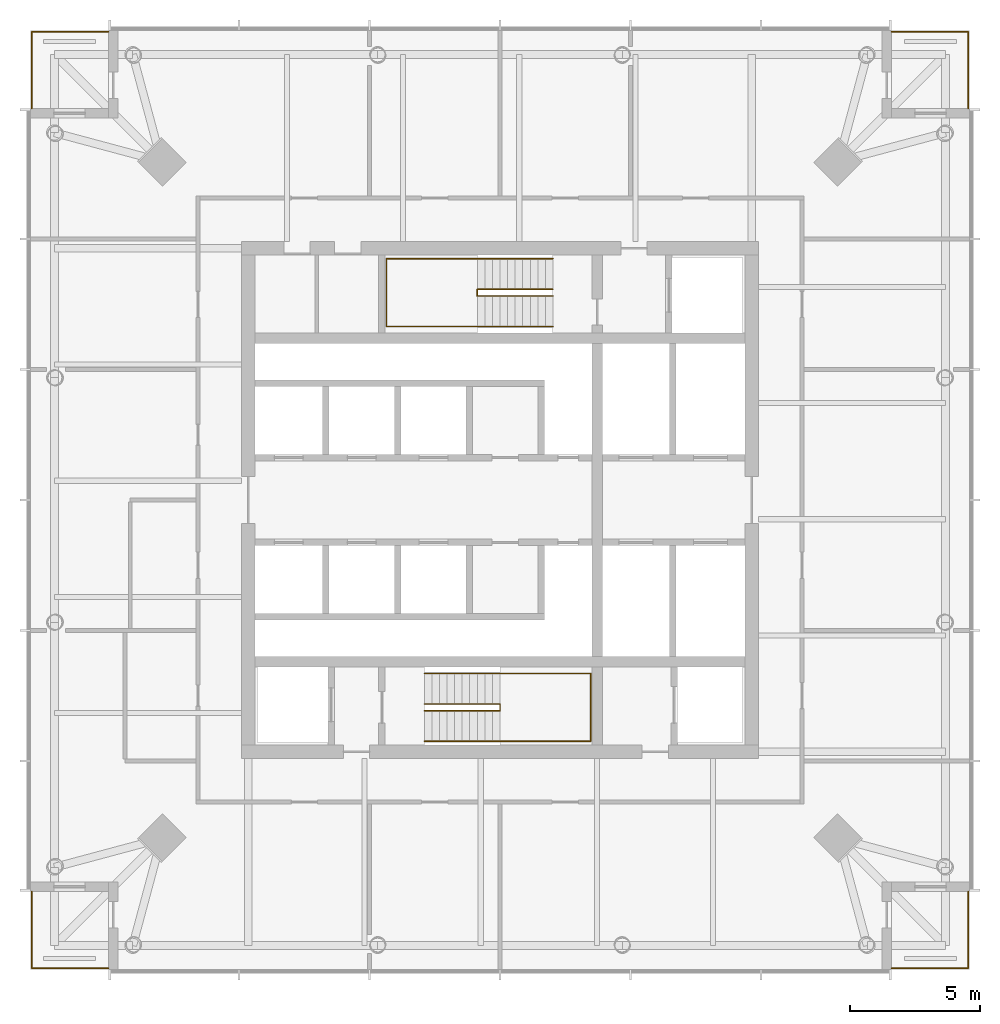
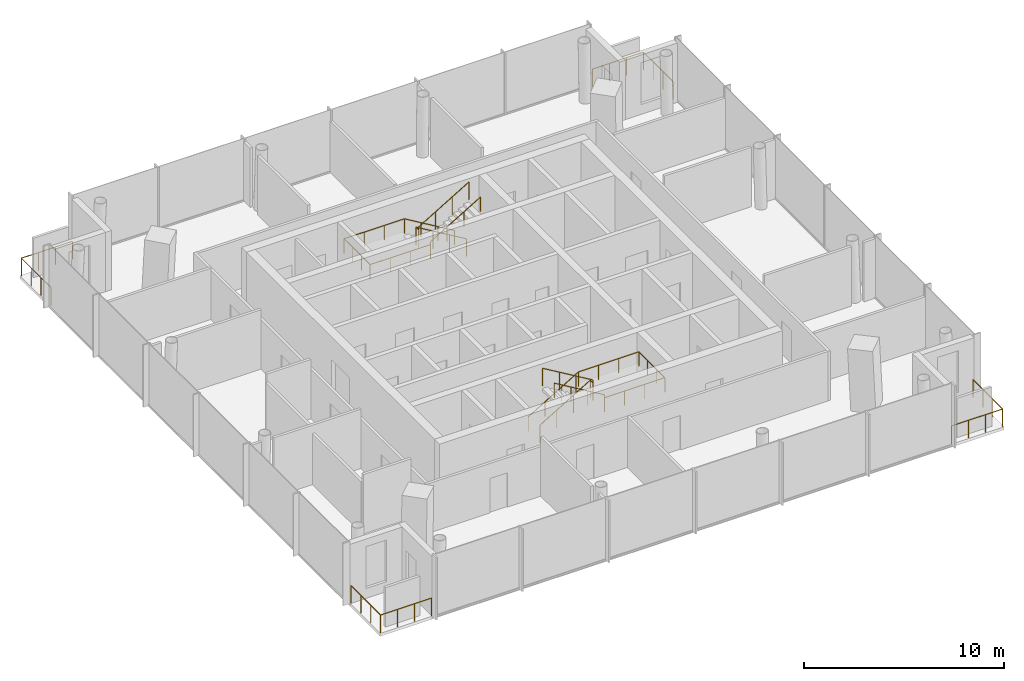
# One storey, part 7 of 7: 8 railings.
"""IFC4 building model written with IfcOpenShell, lengths in metres."""

import ifcopenshell
import ifcopenshell.guid

model = None  # the IFC model being written
_history = None  # IfcOwnerHistory: only IFC2X3 demands one
_inside = {}  # id of a spatial element -> (the spatial element, [elements in it])
_under = {}  # id of a project, library or spatial element -> (it, [spatial elements below it])
_declared = {}  # id of a project -> (the project, [libraries it declares])
_typed = {}  # id of a type object -> (the type object, [elements of that type])
_made_of = {}  # id of a material, layer set ... -> (it, [elements and type objects made of it])


def new_model(schema):
    """Start an empty IFC model of exactly this schema.

    Asked for "IFC4X3", IfcOpenShell would pick the latest addendum, in which some entities
    have other attributes; the version numbers below select the first issue.
    IFC2X3 requires an IfcOwnerHistory on every rooted entity: one is made here for all.
    """
    global model, _history
    if schema == "IFC4X3":
        model = ifcopenshell.file(schema_version=(4, 3, 0, 0))
    else:
        model = ifcopenshell.file(schema=schema)
    _inside.clear()
    _under.clear()
    _declared.clear()
    _typed.clear()
    _made_of.clear()
    _history = None
    if model.schema == "IFC2X3":
        org = make("IfcOrganization", Name="unknown")
        user = make(
            "IfcPersonAndOrganization",
            ThePerson=make("IfcPerson", FamilyName="unknown"),
            TheOrganization=org,
        )
        app = make(
            "IfcApplication",
            ApplicationDeveloper=org,
            Version="unknown",
            ApplicationFullName="unknown",
            ApplicationIdentifier="unknown",
        )
        _history = make(
            "IfcOwnerHistory",
            OwningUser=user,
            OwningApplication=app,
            ChangeAction="ADDED",
            CreationDate=0,
        )
    return model


def make(cls, **values):
    """One entity of the class cls with the attributes given. An attribute that is None is left unset."""
    return model.create_entity(
        cls, **{name: value for name, value in values.items() if value is not None}
    )


def rooted(cls, **values):
    """An entity with a GlobalId (a new one), such as an element, a storey or a relation."""
    return make(cls, GlobalId=ifcopenshell.guid.new(), OwnerHistory=_history, **values)


def si_unit(unit_type, name, prefix=None):
    """IfcSIUnit, for example si_unit("LENGTHUNIT", "METRE", prefix="MILLI")."""
    return make("IfcSIUnit", UnitType=unit_type, Prefix=prefix, Name=name)


def assignment(units):
    """IfcUnitAssignment: the units of a project."""
    return None if units is None else make("IfcUnitAssignment", Units=units)


def point(xyz):
    """IfcCartesianPoint."""
    return None if xyz is None else make("IfcCartesianPoint", Coordinates=xyz)


def direction(xyz):
    """IfcDirection."""
    return None if xyz is None else make("IfcDirection", DirectionRatios=xyz)


def frame(location, z_axis=None, x_axis=None):
    """IfcAxis2Placement3D, a coordinate frame: its origin and axes. An axis left out is left unset."""
    return make(
        "IfcAxis2Placement3D",
        Location=point(location),
        Axis=direction(z_axis),
        RefDirection=direction(x_axis),
    )


def frame_2d(location, x_axis=None):
    """IfcAxis2Placement2D, a coordinate frame in the plane: its origin and x axis."""
    return make(
        "IfcAxis2Placement2D", Location=point(location), RefDirection=direction(x_axis)
    )


def origin():
    """The frame at (0, 0, 0) with its axes left unset."""
    return frame((0.0, 0.0, 0.0))


def origin_2d():
    """The frame at (0, 0) in the plane with its x axis left unset."""
    return frame_2d((0.0, 0.0))


def place(relative_to, where):
    """IfcLocalPlacement: puts the frame where relative to a parent placement (None: the world)."""
    return make(
        "IfcLocalPlacement", PlacementRelTo=relative_to, RelativePlacement=where
    )


def context(
    kind, dimensions, precision=None, world=None, true_north=None, identifier=None
):
    """IfcGeometricRepresentationContext, for example the 3D "Model" context."""
    return make(
        "IfcGeometricRepresentationContext",
        ContextIdentifier=identifier,
        ContextType=kind,
        CoordinateSpaceDimension=dimensions,
        Precision=precision,
        WorldCoordinateSystem=world,
        TrueNorth=true_north,
    )


def subcontext(parent, identifier, kind, view, scale=None):
    """IfcGeometricRepresentationSubContext, for example "Body" below "Model"."""
    return make(
        "IfcGeometricRepresentationSubContext",
        ContextIdentifier=identifier,
        ContextType=kind,
        ParentContext=parent,
        TargetScale=scale,
        TargetView=view,
    )


def project(units=None, contexts=None):
    """IfcProject with its units and contexts."""
    return rooted(
        "IfcProject",
        Name="project",
        RepresentationContexts=contexts,
        UnitsInContext=assignment(units),
    )


def spatial(cls, under=None, at=None, **own):
    """A site, building, storey or space (cls), placed at a placement, below another one or the project."""
    s = rooted(cls, ObjectPlacement=at, **own)
    if under is not None:
        _under.setdefault(under.id(), (under, []))[1].append(s)
    return s


def profile(cls, at=None, kind="AREA", **sizes):
    """A parametric profile (cls). Its sizes go by their IFC names, for example OverallWidth=200.0."""
    return make(cls, ProfileType=kind, Position=at, **sizes)


def circle(**sizes):
    """IfcCircleProfileDef."""
    return profile("IfcCircleProfileDef", **sizes)


def extrude(swept, where, along, depth):
    """IfcExtrudedAreaSolid: the profile swept, set in the frame where, extruded along a direction by depth."""
    return make(
        "IfcExtrudedAreaSolid",
        SweptArea=swept,
        Position=where,
        ExtrudedDirection=direction(along),
        Depth=depth,
    )


def shape(context_of_items, identifier, shape_type, items):
    """IfcShapeRepresentation: the items that make up one representation, for example the "Body"."""
    return make(
        "IfcShapeRepresentation",
        ContextOfItems=context_of_items,
        RepresentationIdentifier=identifier,
        RepresentationType=shape_type,
        Items=items,
    )


def material(Name=None, Category=None):
    """IfcMaterial."""
    return make("IfcMaterial", Name=Name, Category=Category)


def made_of(thing, what):
    """Note that an element or type object is made of a material, layer set ...; save() writes the relation."""
    if what is not None:
        _made_of.setdefault(what.id(), (what, []))[1].append(thing)
    return thing


def type_object(cls, material=None, **own):
    """A type object (cls), such as IfcWallType, which elements share."""
    return made_of(rooted(cls, **own), material)


def element(
    cls,
    number,
    at=None,
    inside=None,
    cuts=None,
    type_object=None,
    material=None,
    context=None,
    identifier="Body",
    shape_type=None,
    held_by="IfcProductDefinitionShape",
    body=None,
    shapes=None,
    **own,
):
    """One element of the class cls, such as IfcWall. Its Tag is "e" and its number.

    at: its placement. inside: the storey or other place that contains it. cuts: it is an
    opening in that element (IfcRelVoidsElement). A single representation is given by context,
    identifier, shape_type and body (its items); several are given by shapes. held_by: the class
    of the entity that holds the representations. save() writes the other relations.
    """
    e = rooted(cls, Tag="e%d" % number, ObjectPlacement=at, **own)
    if body is not None:
        shapes = [shape(context, identifier, shape_type, body)]
    if shapes is not None:
        e.Representation = make(held_by, Representations=shapes)
    if inside is not None:
        _inside.setdefault(inside.id(), (inside, []))[1].append(e)
    if cuts is not None:
        rooted(
            "IfcRelVoidsElement", RelatingBuildingElement=cuts, RelatedOpeningElement=e
        )
    if type_object is not None:
        _typed.setdefault(type_object.id(), (type_object, []))[1].append(e)
    return made_of(e, material)


def aggregate(whole, parts):
    """IfcRelAggregates: a whole, such as a stair, and the parts it consists of."""
    return rooted("IfcRelAggregates", RelatingObject=whole, RelatedObjects=parts)


def save(model, path):
    """Write the relations noted so far, then the file.

    IfcRelAggregates (storeys below a building ...), IfcRelContainedInSpatialStructure (elements
    in a storey), IfcRelDefinesByType, IfcRelAssociatesMaterial and IfcRelDeclares: one each for
    every whole, place, type object, material and project.
    """
    for whole, parts in _under.values():
        aggregate(whole, parts)
    for where, things in _inside.values():
        rooted(
            "IfcRelContainedInSpatialStructure",
            RelatedElements=things,
            RelatingStructure=where,
        )
    for kind, things in _typed.values():
        rooted("IfcRelDefinesByType", RelatedObjects=things, RelatingType=kind)
    for what, things in _made_of.values():
        rooted("IfcRelAssociatesMaterial", RelatedObjects=things, RelatingMaterial=what)
    for by, libraries in _declared.values():
        rooted("IfcRelDeclares", RelatingContext=by, RelatedDefinitions=libraries)
    model.write(path)


model = new_model("IFC4")

# Units and contexts
model_context = context("Model", 3, precision=1e-05, world=origin(), true_north=direction((0.0, 1.0)))
body_context = subcontext(model_context, "Body", "Model", "MODEL_VIEW")
ifc_project = project(units=[si_unit("LENGTHUNIT", "METRE"), si_unit("AREAUNIT", "SQUARE_METRE"), si_unit("VOLUMEUNIT", "CUBIC_METRE"), si_unit("PLANEANGLEUNIT", "RADIAN"), si_unit("MASSUNIT", "GRAM", prefix="KILO")], contexts=[model_context])

# Site, building, storey
site_placement = place(None, origin())
site = spatial("IfcSite", under=ifc_project, at=site_placement, CompositionType="ELEMENT")
building_placement = place(site_placement, origin())
building = spatial("IfcBuilding", under=site, at=building_placement, Name="Ostroluk Exchange", CompositionType="ELEMENT")
storey_placement = place(building_placement, frame((0.0, 0.0, 237.60009765625)))
storey = spatial("IfcBuildingStorey", under=building, at=storey_placement, Name="L61", CompositionType="ELEMENT", Elevation=237.60009765625)

# Railings
ifc_material_1 = material(Name="Stainless steel", Category="steel")
railing_type_1 = type_object("IfcRailingType", Name="Guard 1100 stainless steel", PredefinedType="GUARDRAIL", material=ifc_material_1)
railing_1_placement = place(storey_placement, frame((60.0, 28.050048828125, 0.0)))
element("IfcRailing", 1, at=railing_1_placement, inside=storey, type_object=railing_type_1, Name="Office tower SE balcony guard L61", PredefinedType="GUARDRAIL", context=body_context, shape_type="SweptSolid", body=[
    extrude(circle(Radius=0.02392578125, at=origin_2d()), frame((0.0, 0.0, 1.076171875), z_axis=(1.0, 0.0, 0.0), x_axis=(0.0, 1.0, 0.0)), (0.0, 0.0, 1.0), 2.949951171875),
    extrude(circle(Radius=0.02392578125, at=origin_2d()), frame((2.949951171875, 0.0, 1.076171875), z_axis=(0.0, 1.0, 0.0), x_axis=(-1.0, 0.0, 0.0)), (0.0, 0.0, 1.0), 2.949951171875),
    extrude(circle(Radius=0.02099609375, at=origin_2d()), origin(), (0.0, 0.0, 1.0), 1.052001953125),
    extrude(circle(Radius=0.02099609375, at=origin_2d()), frame((0.9833984375, 0.0, 0.0)), (0.0, 0.0, 1.0), 1.052001953125),
    extrude(circle(Radius=0.02099609375, at=origin_2d()), frame((1.966552734375, 0.0, 0.0)), (0.0, 0.0, 1.0), 1.052001953125),
    extrude(circle(Radius=0.02099609375, at=origin_2d()), frame((2.949951171875, 0.0, 0.0)), (0.0, 0.0, 1.0), 1.052001953125),
    extrude(circle(Radius=0.02099609375, at=origin_2d()), frame((2.949951171875, 0.9833984375, 0.0)), (0.0, 0.0, 1.0), 1.052001953125),
    extrude(circle(Radius=0.02099609375, at=origin_2d()), frame((2.949951171875, 1.966552734375, 0.0)), (0.0, 0.0, 1.0), 1.052001953125),
    extrude(circle(Radius=0.02099609375, at=origin_2d()), frame((2.949951171875, 2.949951171875, 0.0)), (0.0, 0.0, 1.0), 1.052001953125),
])
railing_2_placement = place(storey_placement, frame((60.0, 63.949951171875, 0.0)))
element("IfcRailing", 2, at=railing_2_placement, inside=storey, type_object=railing_type_1, Name="Office tower NE balcony guard L61", PredefinedType="GUARDRAIL", context=body_context, shape_type="SweptSolid", body=[
    extrude(circle(Radius=0.02392578125, at=origin_2d()), frame((0.0, 0.0, 1.076171875), z_axis=(1.0, 0.0, 0.0), x_axis=(0.0, 1.0, 0.0)), (0.0, 0.0, 1.0), 2.949951171875),
    extrude(circle(Radius=0.02392578125, at=origin_2d()), frame((2.949951171875, 0.0, 1.076171875), z_axis=(0.0, -1.0, 0.0), x_axis=(1.0, 0.0, 0.0)), (0.0, 0.0, 1.0), 2.949951171875),
    extrude(circle(Radius=0.02099609375, at=origin_2d()), origin(), (0.0, 0.0, 1.0), 1.052001953125),
    extrude(circle(Radius=0.02099609375, at=origin_2d()), frame((0.9833984375, 0.0, 0.0)), (0.0, 0.0, 1.0), 1.052001953125),
    extrude(circle(Radius=0.02099609375, at=origin_2d()), frame((1.966552734375, 0.0, 0.0)), (0.0, 0.0, 1.0), 1.052001953125),
    extrude(circle(Radius=0.02099609375, at=origin_2d()), frame((2.949951171875, 0.0, 0.0)), (0.0, 0.0, 1.0), 1.052001953125),
    extrude(circle(Radius=0.02099609375, at=origin_2d()), frame((2.949951171875, -0.9833984375, 0.0)), (0.0, 0.0, 1.0), 1.052001953125),
    extrude(circle(Radius=0.02099609375, at=origin_2d()), frame((2.949951171875, -1.966552734375, 0.0)), (0.0, 0.0, 1.0), 1.052001953125),
    extrude(circle(Radius=0.02099609375, at=origin_2d()), frame((2.949951171875, -2.949951171875, 0.0)), (0.0, 0.0, 1.0), 1.052001953125),
])
railing_3_placement = place(storey_placement, frame((30.0, 63.949951171875, 0.0)))
element("IfcRailing", 3, at=railing_3_placement, inside=storey, type_object=railing_type_1, Name="Office tower NW balcony guard L61", PredefinedType="GUARDRAIL", context=body_context, shape_type="SweptSolid", body=[
    extrude(circle(Radius=0.02392578125, at=origin_2d()), frame((0.0, 0.0, 1.076171875), z_axis=(-1.0, 0.0, 0.0), x_axis=(0.0, -1.0, 0.0)), (0.0, 0.0, 1.0), 2.949951171875),
    extrude(circle(Radius=0.02392578125, at=origin_2d()), frame((-2.949951171875, 0.0, 1.076171875), z_axis=(0.0, -1.0, 0.0), x_axis=(1.0, 0.0, 0.0)), (0.0, 0.0, 1.0), 2.949951171875),
    extrude(circle(Radius=0.02099609375, at=origin_2d()), origin(), (0.0, 0.0, 1.0), 1.052001953125),
    extrude(circle(Radius=0.02099609375, at=origin_2d()), frame((-0.9833984375, 0.0, 0.0)), (0.0, 0.0, 1.0), 1.052001953125),
    extrude(circle(Radius=0.02099609375, at=origin_2d()), frame((-1.966552734375, 0.0, 0.0)), (0.0, 0.0, 1.0), 1.052001953125),
    extrude(circle(Radius=0.02099609375, at=origin_2d()), frame((-2.949951171875, 0.0, 0.0)), (0.0, 0.0, 1.0), 1.052001953125),
    extrude(circle(Radius=0.02099609375, at=origin_2d()), frame((-2.949951171875, -0.9833984375, 0.0)), (0.0, 0.0, 1.0), 1.052001953125),
    extrude(circle(Radius=0.02099609375, at=origin_2d()), frame((-2.949951171875, -1.966552734375, 0.0)), (0.0, 0.0, 1.0), 1.052001953125),
    extrude(circle(Radius=0.02099609375, at=origin_2d()), frame((-2.949951171875, -2.949951171875, 0.0)), (0.0, 0.0, 1.0), 1.052001953125),
])
railing_4_placement = place(storey_placement, frame((30.0, 28.050048828125, 0.0)))
element("IfcRailing", 4, at=railing_4_placement, inside=storey, type_object=railing_type_1, Name="Office tower SW balcony guard L61", PredefinedType="GUARDRAIL", context=body_context, shape_type="SweptSolid", body=[
    extrude(circle(Radius=0.02392578125, at=origin_2d()), frame((0.0, 0.0, 1.076171875), z_axis=(-1.0, 0.0, 0.0), x_axis=(0.0, -1.0, 0.0)), (0.0, 0.0, 1.0), 2.949951171875),
    extrude(circle(Radius=0.02392578125, at=origin_2d()), frame((-2.949951171875, 0.0, 1.076171875), z_axis=(0.0, 1.0, 0.0), x_axis=(-1.0, 0.0, 0.0)), (0.0, 0.0, 1.0), 2.949951171875),
    extrude(circle(Radius=0.02099609375, at=origin_2d()), origin(), (0.0, 0.0, 1.0), 1.052001953125),
    extrude(circle(Radius=0.02099609375, at=origin_2d()), frame((-0.9833984375, 0.0, 0.0)), (0.0, 0.0, 1.0), 1.052001953125),
    extrude(circle(Radius=0.02099609375, at=origin_2d()), frame((-1.966552734375, 0.0, 0.0)), (0.0, 0.0, 1.0), 1.052001953125),
    extrude(circle(Radius=0.02099609375, at=origin_2d()), frame((-2.949951171875, 0.0, 0.0)), (0.0, 0.0, 1.0), 1.052001953125),
    extrude(circle(Radius=0.02099609375, at=origin_2d()), frame((-2.949951171875, 0.9833984375, 0.0)), (0.0, 0.0, 1.0), 1.052001953125),
    extrude(circle(Radius=0.02099609375, at=origin_2d()), frame((-2.949951171875, 1.966552734375, 0.0)), (0.0, 0.0, 1.0), 1.052001953125),
    extrude(circle(Radius=0.02099609375, at=origin_2d()), frame((-2.949951171875, 2.949951171875, 0.0)), (0.0, 0.0, 1.0), 1.052001953125),
])
ifc_material_2 = material(Name="Steel S355", Category="steel")
railing_type_2 = type_object("IfcRailingType", Name="Stair guard 1100", PredefinedType="GUARDRAIL", material=ifc_material_2)
railing_5_placement = place(storey_placement, frame((42.10009765625, 38.179931640625, 0.172607421875)))
element("IfcRailing", 5, at=railing_5_placement, inside=storey, type_object=railing_type_2, Name="Stair T1-S1 guard L61", PredefinedType="GUARDRAIL", context=body_context, shape_type="SweptSolid", body=[
    extrude(circle(Radius=0.02392578125, at=origin_2d()), frame((0.0, 0.0, 1.076171875), z_axis=(0.859141464434, 0.0, 0.511738159696), x_axis=(0.0, 1.0, 0.0)), (0.0, 0.0, 1.0), 3.375244140625),
    extrude(circle(Radius=0.02392578125, at=origin_2d()), frame((2.89990234375, 0.0, 2.80322265625), z_axis=(0.0, -1.0, 0.0), x_axis=(1.0, 0.0, 0.0)), (0.0, 0.0, 1.0), 0.260009765625),
    extrude(circle(Radius=0.02392578125, at=origin_2d()), frame((2.89990234375, -0.260009765625, 2.80322265625), z_axis=(0.0, 0.0, 1.0), x_axis=(1.0, 0.0, 0.0)), (0.0, 0.0, 1.0), 0.172607421875),
    extrude(circle(Radius=0.02392578125, at=origin_2d()), frame((2.89990234375, -0.260009765625, 2.97607421875), z_axis=(-0.859141464434, 0.0, 0.511738159696), x_axis=(0.0, -1.0, 0.0)), (0.0, 0.0, 1.0), 3.375244140625),
    extrude(circle(Radius=0.02099609375, at=origin_2d()), origin(), (0.0, 0.0, 1.0), 1.052001953125),
    extrude(circle(Radius=0.02099609375, at=origin_2d()), frame((0.966552734375, 0.0, 0.57568359375)), (0.0, 0.0, 1.0), 1.052001953125),
    extrude(circle(Radius=0.02099609375, at=origin_2d()), frame((1.933349609375, 0.0, 1.151611328125)), (0.0, 0.0, 1.0), 1.052001953125),
    extrude(circle(Radius=0.02099609375, at=origin_2d()), frame((2.89990234375, 0.0, 1.727294921875)), (0.0, 0.0, 1.0), 1.052001953125),
    extrude(circle(Radius=0.02099609375, at=origin_2d()), frame((2.89990234375, -0.260009765625, 1.727294921875)), (0.0, 0.0, 1.0), 1.052001953125),
    extrude(circle(Radius=0.02099609375, at=origin_2d()), frame((2.89990234375, -0.260009765625, 1.89990234375)), (0.0, 0.0, 1.0), 1.052001953125),
    extrude(circle(Radius=0.02099609375, at=origin_2d()), frame((1.933349609375, -0.260009765625, 2.4755859375)), (0.0, 0.0, 1.0), 1.052001953125),
    extrude(circle(Radius=0.02099609375, at=origin_2d()), frame((0.966552734375, -0.260009765625, 3.051513671875)), (0.0, 0.0, 1.0), 1.052001953125),
    extrude(circle(Radius=0.02099609375, at=origin_2d()), frame((0.0, -0.260009765625, 3.627197265625)), (0.0, 0.0, 1.0), 1.052001953125),
])
railing_6_placement = place(storey_placement, frame((47.030029296875, 54.080078125, 0.172607421875)))
element("IfcRailing", 6, at=railing_6_placement, inside=storey, type_object=railing_type_2, Name="Stair T1-S2 guard L61", PredefinedType="GUARDRAIL", context=body_context, shape_type="SweptSolid", body=[
    extrude(circle(Radius=0.02392578125, at=origin_2d()), frame((0.0, 0.0, 1.076171875), z_axis=(-0.859160404282, 0.0, 0.51170636083), x_axis=(0.0, -1.0, 0.0)), (0.0, 0.0, 1.0), 3.37548828125),
    extrude(circle(Radius=0.02392578125, at=origin_2d()), frame((-2.900146484375, 0.0, 2.80322265625), z_axis=(0.0, -1.0, 0.0), x_axis=(1.0, 0.0, 0.0)), (0.0, 0.0, 1.0), 0.260009765625),
    extrude(circle(Radius=0.02392578125, at=origin_2d()), frame((-2.900146484375, -0.260009765625, 2.80322265625), z_axis=(0.0, 0.0, 1.0), x_axis=(1.0, 0.0, 0.0)), (0.0, 0.0, 1.0), 0.172607421875),
    extrude(circle(Radius=0.02392578125, at=origin_2d()), frame((-2.900146484375, -0.260009765625, 2.97607421875), z_axis=(0.859160404282, 0.0, 0.51170636083), x_axis=(0.0, 1.0, 0.0)), (0.0, 0.0, 1.0), 3.37548828125),
    extrude(circle(Radius=0.02099609375, at=origin_2d()), origin(), (0.0, 0.0, 1.0), 1.052001953125),
    extrude(circle(Radius=0.02099609375, at=origin_2d()), frame((-0.966796875, 0.0, 0.57568359375)), (0.0, 0.0, 1.0), 1.052001953125),
    extrude(circle(Radius=0.02099609375, at=origin_2d()), frame((-1.933349609375, 0.0, 1.151611328125)), (0.0, 0.0, 1.0), 1.052001953125),
    extrude(circle(Radius=0.02099609375, at=origin_2d()), frame((-2.900146484375, 0.0, 1.727294921875)), (0.0, 0.0, 1.0), 1.052001953125),
    extrude(circle(Radius=0.02099609375, at=origin_2d()), frame((-2.900146484375, -0.260009765625, 1.727294921875)), (0.0, 0.0, 1.0), 1.052001953125),
    extrude(circle(Radius=0.02099609375, at=origin_2d()), frame((-2.900146484375, -0.260009765625, 1.89990234375)), (0.0, 0.0, 1.0), 1.052001953125),
    extrude(circle(Radius=0.02099609375, at=origin_2d()), frame((-1.933349609375, -0.260009765625, 2.4755859375)), (0.0, 0.0, 1.0), 1.052001953125),
    extrude(circle(Radius=0.02099609375, at=origin_2d()), frame((-0.966796875, -0.260009765625, 3.051513671875)), (0.0, 0.0, 1.0), 1.052001953125),
    extrude(circle(Radius=0.02099609375, at=origin_2d()), frame((0.0, -0.260009765625, 3.627197265625)), (0.0, 0.0, 1.0), 1.052001953125),
])
ifc_material_3 = material(Name="Stainless steel", Category="steel")
railing_type_3 = type_object("IfcRailingType", Name="Stair handrail 900", PredefinedType="HANDRAIL", material=ifc_material_3)
railing_7_placement = place(storey_placement, frame((42.10009765625, 39.35009765625, 0.172607421875)))
element("IfcRailing", 7, at=railing_7_placement, inside=storey, type_object=railing_type_3, Name="Stair T1-S1 handrail L61", PredefinedType="HANDRAIL", context=body_context, shape_type="SweptSolid", body=[
    extrude(circle(Radius=0.02392578125, at=origin_2d()), frame((0.0, 0.0, 0.8759765625), z_axis=(0.859141464434, 0.0, 0.511738159696), x_axis=(0.0, 1.0, 0.0)), (0.0, 0.0, 1.0), 3.375244140625),
    extrude(circle(Radius=0.02392578125, at=origin_2d()), frame((2.89990234375, 0.0, 2.60302734375), z_axis=(1.0, 0.0, 0.0), x_axis=(0.0, 1.0, 0.0)), (0.0, 0.0, 1.0), 3.47998046875),
    extrude(circle(Radius=0.02392578125, at=origin_2d()), frame((6.3798828125, 0.0, 2.60302734375), z_axis=(0.0, -1.0, 0.0), x_axis=(1.0, 0.0, 0.0)), (0.0, 0.0, 1.0), 2.60009765625),
    extrude(circle(Radius=0.02392578125, at=origin_2d()), frame((6.3798828125, -2.60009765625, 2.60302734375), z_axis=(-1.0, 0.0, 0.0), x_axis=(0.0, -1.0, 0.0)), (0.0, 0.0, 1.0), 3.47998046875),
    extrude(circle(Radius=0.02392578125, at=origin_2d()), frame((2.89990234375, -2.60009765625, 2.60302734375), z_axis=(0.0, 0.0, 1.0), x_axis=(1.0, 0.0, 0.0)), (0.0, 0.0, 1.0), 0.172607421875),
    extrude(circle(Radius=0.02392578125, at=origin_2d()), frame((2.89990234375, -2.60009765625, 2.77587890625), z_axis=(-0.859141464434, 0.0, 0.511738159696), x_axis=(0.0, -1.0, 0.0)), (0.0, 0.0, 1.0), 3.375244140625),
    extrude(circle(Radius=0.02099609375, at=origin_2d()), origin(), (0.0, 0.0, 1.0), 0.851806640625),
    extrude(circle(Radius=0.02099609375, at=origin_2d()), frame((0.966552734375, 0.0, 0.57568359375)), (0.0, 0.0, 1.0), 0.851806640625),
    extrude(circle(Radius=0.02099609375, at=origin_2d()), frame((1.933349609375, 0.0, 1.151611328125)), (0.0, 0.0, 1.0), 0.851806640625),
    extrude(circle(Radius=0.02099609375, at=origin_2d()), frame((2.89990234375, 0.0, 1.727294921875)), (0.0, 0.0, 1.0), 0.851806640625),
    extrude(circle(Radius=0.02099609375, at=origin_2d()), frame((4.059814453125, 0.0, 1.727294921875)), (0.0, 0.0, 1.0), 0.851806640625),
    extrude(circle(Radius=0.02099609375, at=origin_2d()), frame((5.219970703125, 0.0, 1.727294921875)), (0.0, 0.0, 1.0), 0.851806640625),
    extrude(circle(Radius=0.02099609375, at=origin_2d()), frame((6.3798828125, 0.0, 1.727294921875)), (0.0, 0.0, 1.0), 0.851806640625),
    extrude(circle(Radius=0.02099609375, at=origin_2d()), frame((6.3798828125, -0.86669921875, 1.727294921875)), (0.0, 0.0, 1.0), 0.851806640625),
    extrude(circle(Radius=0.02099609375, at=origin_2d()), frame((6.3798828125, -1.7333984375, 1.727294921875)), (0.0, 0.0, 1.0), 0.851806640625),
    extrude(circle(Radius=0.02099609375, at=origin_2d()), frame((6.3798828125, -2.60009765625, 1.727294921875)), (0.0, 0.0, 1.0), 0.851806640625),
    extrude(circle(Radius=0.02099609375, at=origin_2d()), frame((5.219970703125, -2.60009765625, 1.727294921875)), (0.0, 0.0, 1.0), 0.851806640625),
    extrude(circle(Radius=0.02099609375, at=origin_2d()), frame((4.059814453125, -2.60009765625, 1.727294921875)), (0.0, 0.0, 1.0), 0.851806640625),
    extrude(circle(Radius=0.02099609375, at=origin_2d()), frame((2.89990234375, -2.60009765625, 1.727294921875)), (0.0, 0.0, 1.0), 0.851806640625),
    extrude(circle(Radius=0.02099609375, at=origin_2d()), frame((2.89990234375, -2.60009765625, 1.89990234375)), (0.0, 0.0, 1.0), 0.851806640625),
    extrude(circle(Radius=0.02099609375, at=origin_2d()), frame((1.933349609375, -2.60009765625, 2.4755859375)), (0.0, 0.0, 1.0), 0.851806640625),
    extrude(circle(Radius=0.02099609375, at=origin_2d()), frame((0.966552734375, -2.60009765625, 3.051513671875)), (0.0, 0.0, 1.0), 0.851806640625),
    extrude(circle(Radius=0.02099609375, at=origin_2d()), frame((0.0, -2.60009765625, 3.627197265625)), (0.0, 0.0, 1.0), 0.851806640625),
])
railing_8_placement = place(storey_placement, frame((47.030029296875, 55.25, 0.172607421875)))
element("IfcRailing", 8, at=railing_8_placement, inside=storey, type_object=railing_type_3, Name="Stair T1-S2 handrail L61", PredefinedType="HANDRAIL", context=body_context, shape_type="SweptSolid", body=[
    extrude(circle(Radius=0.02392578125, at=origin_2d()), frame((0.0, 0.0, 0.8759765625), z_axis=(-0.859160404282, 0.0, 0.51170636083), x_axis=(0.0, -1.0, 0.0)), (0.0, 0.0, 1.0), 3.37548828125),
    extrude(circle(Radius=0.02392578125, at=origin_2d()), frame((-2.900146484375, 0.0, 2.60302734375), z_axis=(-1.0, 0.0, 0.0), x_axis=(0.0, -1.0, 0.0)), (0.0, 0.0, 1.0), 3.47998046875),
    extrude(circle(Radius=0.02392578125, at=origin_2d()), frame((-6.380126953125, 0.0, 2.60302734375), z_axis=(0.0, -1.0, 0.0), x_axis=(1.0, 0.0, 0.0)), (0.0, 0.0, 1.0), 2.60009765625),
    extrude(circle(Radius=0.02392578125, at=origin_2d()), frame((-6.380126953125, -2.60009765625, 2.60302734375), z_axis=(1.0, 0.0, 0.0), x_axis=(0.0, 1.0, 0.0)), (0.0, 0.0, 1.0), 3.47998046875),
    extrude(circle(Radius=0.02392578125, at=origin_2d()), frame((-2.900146484375, -2.60009765625, 2.60302734375), z_axis=(0.0, 0.0, 1.0), x_axis=(1.0, 0.0, 0.0)), (0.0, 0.0, 1.0), 0.172607421875),
    extrude(circle(Radius=0.02392578125, at=origin_2d()), frame((-2.900146484375, -2.60009765625, 2.77587890625), z_axis=(0.859160404282, 0.0, 0.51170636083), x_axis=(0.0, 1.0, 0.0)), (0.0, 0.0, 1.0), 3.37548828125),
    extrude(circle(Radius=0.02099609375, at=origin_2d()), origin(), (0.0, 0.0, 1.0), 0.851806640625),
    extrude(circle(Radius=0.02099609375, at=origin_2d()), frame((-0.966796875, 0.0, 0.57568359375)), (0.0, 0.0, 1.0), 0.851806640625),
    extrude(circle(Radius=0.02099609375, at=origin_2d()), frame((-1.933349609375, 0.0, 1.151611328125)), (0.0, 0.0, 1.0), 0.851806640625),
    extrude(circle(Radius=0.02099609375, at=origin_2d()), frame((-2.900146484375, 0.0, 1.727294921875)), (0.0, 0.0, 1.0), 0.851806640625),
    extrude(circle(Radius=0.02099609375, at=origin_2d()), frame((-4.06005859375, 0.0, 1.727294921875)), (0.0, 0.0, 1.0), 0.851806640625),
    extrude(circle(Radius=0.02099609375, at=origin_2d()), frame((-5.22021484375, 0.0, 1.727294921875)), (0.0, 0.0, 1.0), 0.851806640625),
    extrude(circle(Radius=0.02099609375, at=origin_2d()), frame((-6.380126953125, 0.0, 1.727294921875)), (0.0, 0.0, 1.0), 0.851806640625),
    extrude(circle(Radius=0.02099609375, at=origin_2d()), frame((-6.380126953125, -0.86669921875, 1.727294921875)), (0.0, 0.0, 1.0), 0.851806640625),
    extrude(circle(Radius=0.02099609375, at=origin_2d()), frame((-6.380126953125, -1.7333984375, 1.727294921875)), (0.0, 0.0, 1.0), 0.851806640625),
    extrude(circle(Radius=0.02099609375, at=origin_2d()), frame((-6.380126953125, -2.60009765625, 1.727294921875)), (0.0, 0.0, 1.0), 0.851806640625),
    extrude(circle(Radius=0.02099609375, at=origin_2d()), frame((-5.22021484375, -2.60009765625, 1.727294921875)), (0.0, 0.0, 1.0), 0.851806640625),
    extrude(circle(Radius=0.02099609375, at=origin_2d()), frame((-4.06005859375, -2.60009765625, 1.727294921875)), (0.0, 0.0, 1.0), 0.851806640625),
    extrude(circle(Radius=0.02099609375, at=origin_2d()), frame((-2.900146484375, -2.60009765625, 1.727294921875)), (0.0, 0.0, 1.0), 0.851806640625),
    extrude(circle(Radius=0.02099609375, at=origin_2d()), frame((-2.900146484375, -2.60009765625, 1.89990234375)), (0.0, 0.0, 1.0), 0.851806640625),
    extrude(circle(Radius=0.02099609375, at=origin_2d()), frame((-1.933349609375, -2.60009765625, 2.4755859375)), (0.0, 0.0, 1.0), 0.851806640625),
    extrude(circle(Radius=0.02099609375, at=origin_2d()), frame((-0.966796875, -2.60009765625, 3.051513671875)), (0.0, 0.0, 1.0), 0.851806640625),
    extrude(circle(Radius=0.02099609375, at=origin_2d()), frame((0.0, -2.60009765625, 3.627197265625)), (0.0, 0.0, 1.0), 0.851806640625),
])

save(model, "model.ifc")
